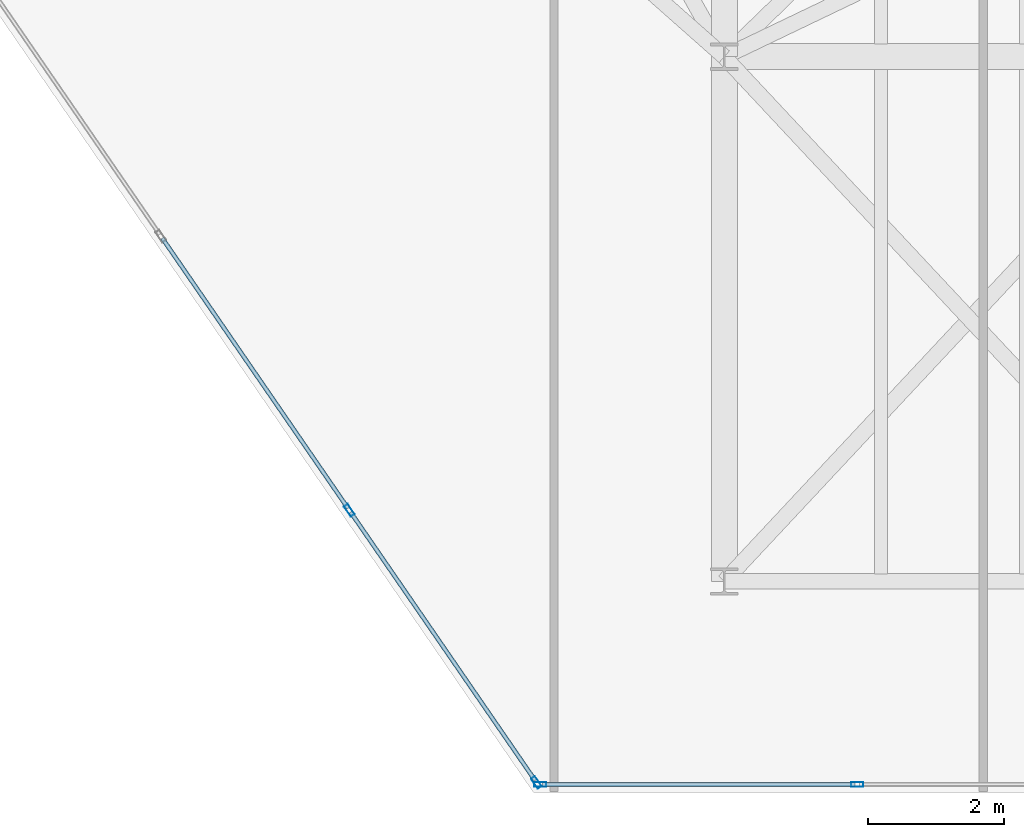
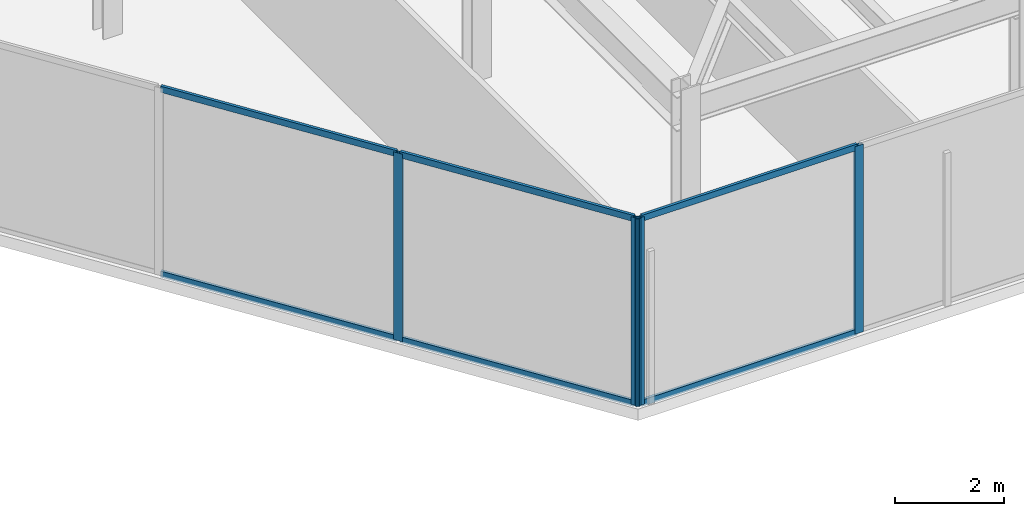
# One storey, part 14 of 25: 10 members, 2 elements without a shape of their own.
"""IFC4 building model written with IfcOpenShell, lengths in metres."""

from ifc_helpers import new_model, si_unit, direction, frame, origin, origin_2d, place, context, subcontext, project, spatial, hollow_rectangle, extrude, material, layer, layer_set, material_profile, profile_set, type_object, element, aggregate, save


model = new_model("IFC4")

# Units and contexts
model_context = context("Model", 3, precision=1e-05, world=origin(), true_north=direction((0.0, 1.0)))
body_context = subcontext(model_context, "Body", "Model", "MODEL_VIEW")
ifc_project = project(units=[si_unit("LENGTHUNIT", "METRE"), si_unit("AREAUNIT", "SQUARE_METRE"), si_unit("VOLUMEUNIT", "CUBIC_METRE"), si_unit("PLANEANGLEUNIT", "RADIAN"), si_unit("MASSUNIT", "GRAM", prefix="KILO")], contexts=[model_context])

# Site, building, storey
site_placement = place(None, origin())
site = spatial("IfcSite", under=ifc_project, at=site_placement, CompositionType="ELEMENT")
building_placement = place(site_placement, origin())
building = spatial("IfcBuilding", under=site, at=building_placement, Name="Kravanh Interchange Tower", CompositionType="ELEMENT")
storey_placement = place(building_placement, frame((0.0, 0.0, 220.5)))
storey = spatial("IfcBuildingStorey", under=building, at=storey_placement, Name="L53", CompositionType="ELEMENT", Elevation=220.5)

# Curtain wall, members
ifc_material_1 = material(Name="Anodised Bronze Aluminium", Category="aluminium")
ifc_layer = layer(ifc_material_1, 0.179931640625)
ifc_layer_set = layer_set([ifc_layer], Name="Unitised Curtain Wall System CW-SKY Sky Observatory")
curtain_wall_type = type_object("IfcCurtainWallType", Name="Unitised Curtain Wall System CW-SKY Sky Observatory", PredefinedType="NOTDEFINED", material=ifc_layer_set)
curtain_wall_1_placement = place(storey_placement, origin())
curtain_wall_1 = element("IfcCurtainWall", 1, at=curtain_wall_1_placement, inside=storey, type_object=curtain_wall_type, Name="L53 Unitised Curtain Wall CW-L53-04", PredefinedType="NOTDEFINED")
ifc_material_2 = material(Name="Anodised Bronze Aluminium", Category="aluminium")
ifc_material_profile_1 = material_profile(ifc_material_2, hollow_rectangle(XDim=0.070068359375, YDim=0.179931640625, WallThickness=0.00390625, at=origin_2d()), Name="ALU70X180X4")
ifc_profile_set_1 = profile_set([ifc_material_profile_1], Name="Anodised Bronze Aluminium")
member_type_1 = type_object("IfcMemberType", Name="Curtain Wall Mullion ALU70X180X4 Bronze", PredefinedType="MULLION", material=ifc_profile_set_1)
member_1_placement = place(storey_placement, frame((57.9521484375, 11.52001953125, 0.0), z_axis=(0.0, 0.0, 1.0), x_axis=(0.0, -1.0, 0.0)))
member_1 = element("IfcMember", 2, at=member_1_placement, type_object=member_type_1, Name="CW-SKY mullion 2", PredefinedType="MULLION", context=body_context, shape_type="SweptSolid", body=[
    extrude(hollow_rectangle(XDim=0.070068359375, YDim=0.179931640625, WallThickness=0.00390625, at=origin_2d()), origin(), (0.0, 0.0, 1.0), 4.219970703125),
])
member_2_placement = place(storey_placement, frame((53.298095703125, 11.52001953125, 0.0), z_axis=(0.0, 0.0, 1.0), x_axis=(0.0, -1.0, 0.0)))
member_2 = element("IfcMember", 3, at=member_2_placement, type_object=member_type_1, Name="CW-SKY mullion 3", PredefinedType="MULLION", context=body_context, shape_type="SweptSolid", body=[
    extrude(hollow_rectangle(XDim=0.070068359375, YDim=0.179931640625, WallThickness=0.00390625, at=origin_2d()), origin(), (0.0, 0.0, 1.0), 4.219970703125),
])

curtain_wall_2_placement = place(storey_placement, origin())
curtain_wall_2 = element("IfcCurtainWall", 4, at=curtain_wall_2_placement, inside=storey, type_object=curtain_wall_type, Name="L53 Unitised Curtain Wall CW-L53-05", PredefinedType="NOTDEFINED")
member_3_placement = place(storey_placement, frame((53.2431640625, 11.548828125, 0.0), z_axis=(0.0, 0.0, 1.0), x_axis=(-0.824042223035, -0.566528388217, 0.0)))
member_3 = element("IfcMember", 5, at=member_3_placement, type_object=member_type_1, Name="CW-SKY mullion 1", PredefinedType="MULLION", context=body_context, shape_type="SweptSolid", body=[
    extrude(hollow_rectangle(XDim=0.070068359375, YDim=0.179931640625, WallThickness=0.00390625, at=origin_2d()), origin(), (0.0, 0.0, 1.0), 4.219970703125),
])
member_4_placement = place(storey_placement, frame((50.497314453125, 15.54296875, 0.0), z_axis=(0.0, 0.0, 1.0), x_axis=(-0.824042223035, -0.566528388217, 0.0)))
member_4 = element("IfcMember", 6, at=member_4_placement, type_object=member_type_1, Name="CW-SKY mullion 2", PredefinedType="MULLION", context=body_context, shape_type="SweptSolid", body=[
    extrude(hollow_rectangle(XDim=0.070068359375, YDim=0.179931640625, WallThickness=0.00390625, at=origin_2d()), origin(), (0.0, 0.0, 1.0), 4.219970703125),
])

# Member
ifc_material_3 = material(Name="Anodised Bronze Aluminium", Category="aluminium")
ifc_material_profile_2 = material_profile(ifc_material_3, hollow_rectangle(XDim=0.06005859375, YDim=0.139892578125, WallThickness=0.00390625, at=origin_2d()), Name="ALU60X140X4")
ifc_profile_set_2 = profile_set([ifc_material_profile_2], Name="Anodised Bronze Aluminium")
member_type_2 = type_object("IfcMemberType", Name="Curtain Wall Transom ALU60X140X4 Bronze", PredefinedType="USERDEFINED", material=ifc_profile_set_2)
member_5_placement = place(storey_placement, frame((57.9169921875, 11.52001953125, 0.030029296875), z_axis=(-1.0, 0.0, 0.0), x_axis=(0.0, -1.0, 0.0)))
member_5 = element("IfcMember", 7, at=member_5_placement, type_object=member_type_2, Name="CW-SKY transom 2.1", ObjectType="TRANSOM", PredefinedType="USERDEFINED", context=body_context, shape_type="SweptSolid", body=[
    extrude(hollow_rectangle(XDim=0.06005859375, YDim=0.139892578125, WallThickness=0.00390625, at=origin_2d()), origin(), (0.0, 0.0, 1.0), 4.583984375),
])

member_6_placement = place(storey_placement, frame((57.9169921875, 11.52001953125, 4.18994140625), z_axis=(-1.0, 0.0, 0.0), x_axis=(0.0, -1.0, 0.0)))
member_6 = element("IfcMember", 8, at=member_6_placement, type_object=member_type_2, Name="CW-SKY transom 2.2", ObjectType="TRANSOM", PredefinedType="USERDEFINED", context=body_context, shape_type="SweptSolid", body=[
    extrude(hollow_rectangle(XDim=0.06005859375, YDim=0.139892578125, WallThickness=0.00390625, at=origin_2d()), origin(), (0.0, 0.0, 1.0), 4.583984375),
])

aggregate(curtain_wall_1, [member_1, member_2, member_5, member_6])

member_7_placement = place(storey_placement, frame((53.223388671875, 11.57763671875, 0.030029296875), z_axis=(-0.566520146881, 0.824047888886, 0.0), x_axis=(-0.824047888886, -0.566520146881, 0.0)))
member_7 = element("IfcMember", 9, at=member_7_placement, type_object=member_type_2, Name="CW-SKY transom 1.1", ObjectType="TRANSOM", PredefinedType="USERDEFINED", context=body_context, shape_type="SweptSolid", body=[
    extrude(hollow_rectangle(XDim=0.06005859375, YDim=0.139892578125, WallThickness=0.00390625, at=origin_2d()), origin(), (0.0, 0.0, 1.0), 4.777099609375),
])

member_8_placement = place(storey_placement, frame((53.223388671875, 11.57763671875, 4.18994140625), z_axis=(-0.566520146881, 0.824047888886, 0.0), x_axis=(-0.824047888886, -0.566520146881, 0.0)))
member_8 = element("IfcMember", 10, at=member_8_placement, type_object=member_type_2, Name="CW-SKY transom 1.2", ObjectType="TRANSOM", PredefinedType="USERDEFINED", context=body_context, shape_type="SweptSolid", body=[
    extrude(hollow_rectangle(XDim=0.06005859375, YDim=0.139892578125, WallThickness=0.00390625, at=origin_2d()), origin(), (0.0, 0.0, 1.0), 4.777099609375),
])

member_9_placement = place(storey_placement, frame((50.4775390625, 15.57177734375, 0.030029296875), z_axis=(-0.566515903357, 0.824050806227, 0.0), x_axis=(-0.824050806227, -0.566515903357, 0.0)))
member_9 = element("IfcMember", 11, at=member_9_placement, type_object=member_type_2, Name="CW-SKY transom 2.1", ObjectType="TRANSOM", PredefinedType="USERDEFINED", context=body_context, shape_type="SweptSolid", body=[
    extrude(hollow_rectangle(XDim=0.06005859375, YDim=0.139892578125, WallThickness=0.00390625, at=origin_2d()), origin(), (0.0, 0.0, 1.0), 4.81201171875),
])

member_10_placement = place(storey_placement, frame((50.4775390625, 15.57177734375, 4.18994140625), z_axis=(-0.566515903357, 0.824050806227, 0.0), x_axis=(-0.824050806227, -0.566515903357, 0.0)))
member_10 = element("IfcMember", 12, at=member_10_placement, type_object=member_type_2, Name="CW-SKY transom 2.2", ObjectType="TRANSOM", PredefinedType="USERDEFINED", context=body_context, shape_type="SweptSolid", body=[
    extrude(hollow_rectangle(XDim=0.06005859375, YDim=0.139892578125, WallThickness=0.00390625, at=origin_2d()), origin(), (0.0, 0.0, 1.0), 4.81201171875),
])

aggregate(curtain_wall_2, [member_3, member_4, member_7, member_8, member_9, member_10])

save(model, "model.ifc")
